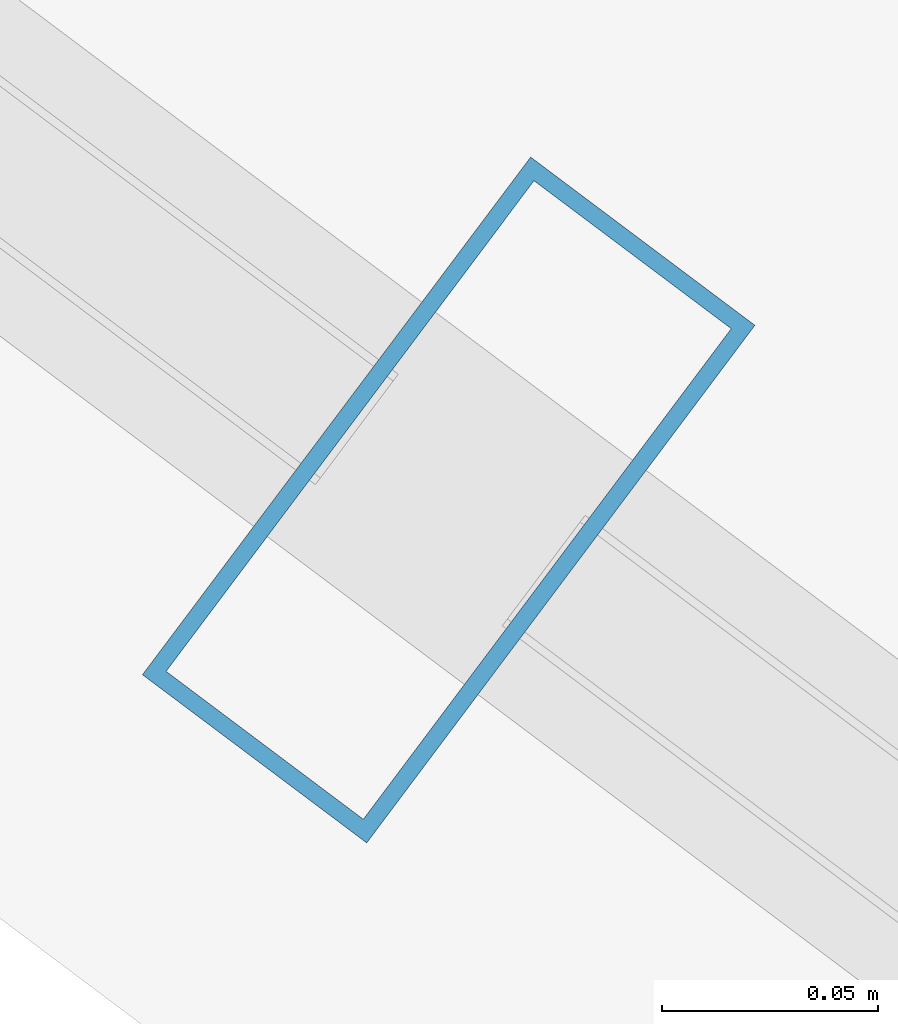
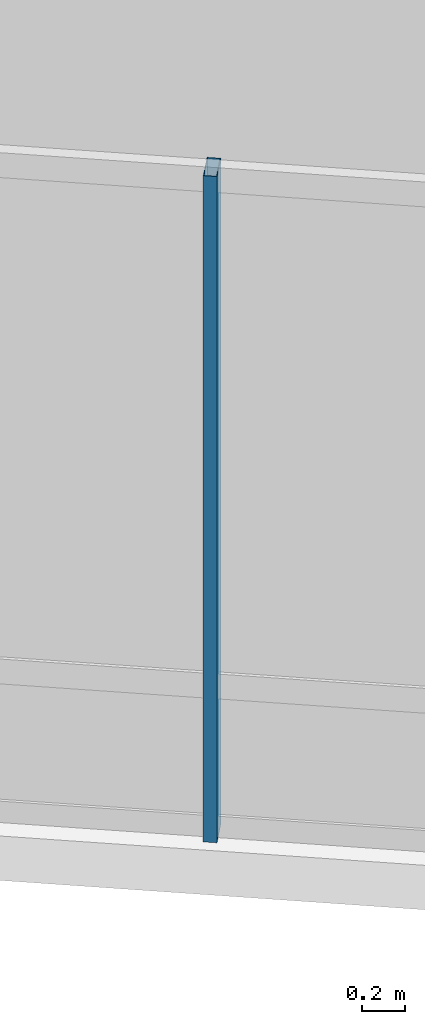
# One storey, part 2 of 21: 1 member, 1 element without a shape of its own.
"""IFC4 building model written with IfcOpenShell, lengths in metres."""

from ifc_helpers import new_model, si_unit, direction, frame, origin, origin_2d, place, context, subcontext, project, spatial, hollow_rectangle, extrude, material, layer, layer_set, material_profile, profile_set, type_object, element, aggregate, save


model = new_model("IFC4")

# Units and contexts
model_context = context("Model", 3, precision=1e-05, world=origin(), true_north=direction((0.0, 1.0)))
body_context = subcontext(model_context, "Body", "Model", "MODEL_VIEW")
ifc_project = project(units=[si_unit("LENGTHUNIT", "METRE"), si_unit("AREAUNIT", "SQUARE_METRE"), si_unit("VOLUMEUNIT", "CUBIC_METRE"), si_unit("PLANEANGLEUNIT", "RADIAN"), si_unit("MASSUNIT", "GRAM", prefix="KILO")], contexts=[model_context])

# Site, building, storey
site_placement = place(None, origin())
site = spatial("IfcSite", under=ifc_project, at=site_placement, CompositionType="ELEMENT")
building_placement = place(site_placement, origin())
building = spatial("IfcBuilding", under=site, at=building_placement, Name="Hatsunagi Terrace Concourse", CompositionType="ELEMENT")
storey_placement = place(building_placement, frame((0.0, 0.0, 265.949951171875)))
storey = spatial("IfcBuildingStorey", under=building, at=storey_placement, Name="L70", CompositionType="ELEMENT", Elevation=265.949951171875)

# Curtain wall, member
ifc_material_1 = material(Name="Anodised Aluminium Alloy 6063-T5", Category="aluminium")
ifc_layer = layer(ifc_material_1, 0.199951171875)
ifc_layer_set = layer_set([ifc_layer], Name="CrownWintergarden_CW06")
curtain_wall_type = type_object("IfcCurtainWallType", Name="CrownWintergarden_CW06", PredefinedType="NOTDEFINED", material=ifc_layer_set)
curtain_wall_placement = place(storey_placement, origin())
curtain_wall = element("IfcCurtainWall", 1, at=curtain_wall_placement, inside=storey, type_object=curtain_wall_type, Name="Unitised Curtain Wall CW-06 CW-L70-05", PredefinedType="NOTDEFINED")
ifc_material_2 = material(Name="Anodised Aluminium Alloy 6063-T5", Category="aluminium")
ifc_material_profile = material_profile(ifc_material_2, hollow_rectangle(XDim=0.06494140625, YDim=0.14990234375, WallThickness=0.00390625, at=origin_2d()), Name="ALU-MUL-150x65x4")
ifc_profile_set = profile_set([ifc_material_profile], Name="Anodised Aluminium Alloy 6063-T5")
member_type = type_object("IfcMemberType", Name="CurtainWallMullion_Crown_150x65", PredefinedType="MULLION", material=ifc_profile_set)
member_placement = place(storey_placement, frame((32.373046875, 18.195068359375, 0.0), z_axis=(0.0, 0.0, 1.0), x_axis=(-0.800007305671, 0.599990258982, 0.0)))
member = element("IfcMember", 2, at=member_placement, type_object=member_type, Name="Curtain Wall Mullion MUL-03", PredefinedType="MULLION", context=body_context, shape_type="SweptSolid", body=[
    extrude(hollow_rectangle(XDim=0.06494140625, YDim=0.14990234375, WallThickness=0.00390625, at=origin_2d()), origin(), (0.0, 0.0, 1.0), 3.75),
])
aggregate(curtain_wall, [member])

save(model, "model.ifc")
